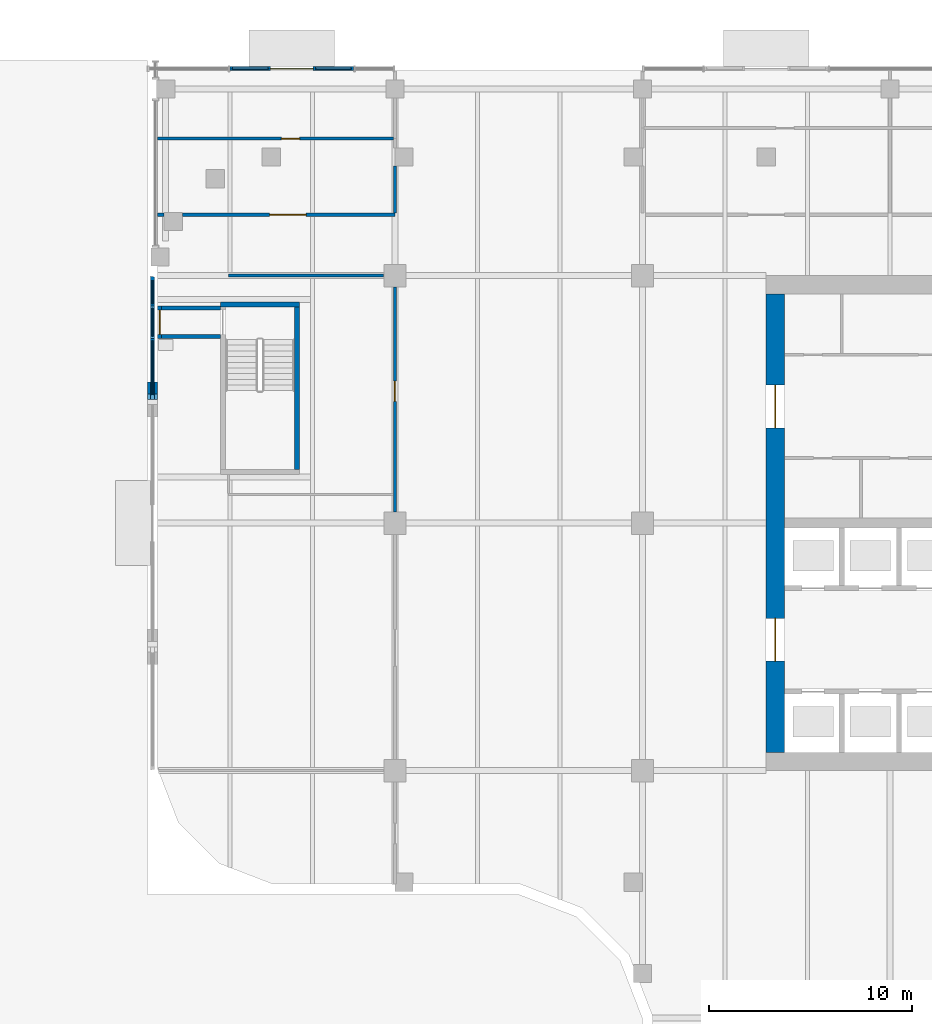
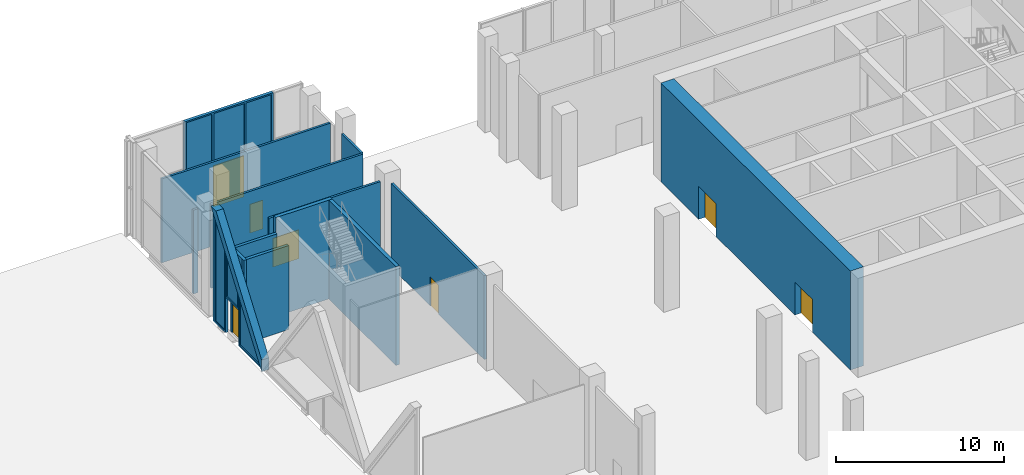
# One storey, part 19 of 36: 17 walls, 7 doors, 6 plates, 13 openings.
"""IFC4 building model written with IfcOpenShell, lengths in metres."""

from ifc_helpers import new_model, si_unit, direction, frame, frame_2d, origin, place, context, subcontext, project, spatial, polyline, rectangle, outline, extrude, faceted_brep, source, transform, mapped, material, layer, layer_set, type_object, element, fill, save


model = new_model("IFC4")

# Units and contexts
model_context = context("Model", 3, precision=1e-05, world=origin(), true_north=direction((0.0, 1.0)))
body_context = subcontext(model_context, "Body", "Model", "MODEL_VIEW")
ifc_project = project(units=[si_unit("LENGTHUNIT", "METRE"), si_unit("AREAUNIT", "SQUARE_METRE"), si_unit("VOLUMEUNIT", "CUBIC_METRE"), si_unit("PLANEANGLEUNIT", "RADIAN"), si_unit("MASSUNIT", "GRAM", prefix="KILO")], contexts=[model_context])

# Site, building, storey
site_placement = place(None, origin())
site = spatial("IfcSite", under=ifc_project, at=site_placement, CompositionType="ELEMENT")
building_placement = place(site_placement, origin())
building = spatial("IfcBuilding", under=site, at=building_placement, Name="Tessera Gate Towers", CompositionType="ELEMENT")
storey_placement = place(building_placement, origin())
storey = spatial("IfcBuildingStorey", under=building, at=storey_placement, Name="L00", CompositionType="ELEMENT", Elevation=0.0)

# Walls
ifc_material_1 = material(Name="Concrete C40/50", Category="concrete")
ifc_layer_1 = layer(ifc_material_1, 0.25)
ifc_layer_set_1 = layer_set([ifc_layer_1], Name="CORE ENCLOSURE WALL 250")
wall_type_1 = type_object("IfcWallType", Name="CORE ENCLOSURE WALL 250", PredefinedType="SOLIDWALL", material=ifc_layer_set_1)
wall_1_placement = place(storey_placement, frame((3.60009765625, 47.375, 0.0), z_axis=(0.0, 0.0, 1.0), x_axis=(1.0, 0.0, 0.0)))
element("IfcWall", 1, at=wall_1_placement, inside=storey, type_object=wall_type_1, Name="L00 ST3 enclosure wall", PredefinedType="SOLIDWALL", context=body_context, shape_type="SweptSolid", body=[
    extrude(rectangle(XDim=3.89990234375, YDim=0.25, at=frame_2d((1.949951171875, 0.0))), origin(), (0.0, 0.0, 1.0), 7.199951171875),
])
wall_2_placement = place(storey_placement, frame((7.375, 47.25, 0.0), z_axis=(0.0, 0.0, 1.0), x_axis=(0.0, -1.0, 0.0)))
element("IfcWall", 2, at=wall_2_placement, inside=storey, type_object=wall_type_1, Name="L00 ST3 enclosure wall", PredefinedType="SOLIDWALL", context=body_context, shape_type="SweptSolid", body=[
    extrude(rectangle(XDim=8.0, YDim=0.25, at=frame_2d((4.0, 0.0))), origin(), (0.0, 0.0, 1.0), 7.199951171875),
])

# Wall, openings, doors
ifc_material_2 = material(Name="Concrete C70/85", Category="concrete")
ifc_layer_2 = layer(ifc_material_2, 0.89990234375)
ifc_layer_set_2 = layer_set([ifc_layer_2], Name="CORE SHEAR WALL 900 C70/85")
wall_type_2 = type_object("IfcWallType", Name="CORE SHEAR WALL 900 C70/85", PredefinedType="SHEAR", material=ifc_layer_set_2)
wall_3_placement = place(storey_placement, frame((30.949951171875, 25.300048828125, 0.0), z_axis=(0.0, 0.0, 1.0), x_axis=(0.0, 1.0, 0.0)))
wall_3 = element("IfcWall", 3, at=wall_3_placement, inside=storey, type_object=wall_type_2, Name="Core wall W L00", PredefinedType="SHEAR", context=body_context, shape_type="SweptSolid", body=[
    extrude(rectangle(XDim=22.599853515625, YDim=0.89990234375, at=frame_2d((11.2998046875, 0.0))), origin(), (0.0, 0.0, 1.0), 7.199951171875),
])
shared_shape_1 = source(origin(), body_context, "Body", "SweptSolid", [
    extrude(rectangle(XDim=2.10009765625, YDim=2.39990234375, at=frame_2d((1.050048828125, 1.199951171875))), frame((0.0, 0.4599609375, 0.0), z_axis=(0.0, -1.0, 0.0), x_axis=(1.0, 0.0, 0.0)), (0.0, 0.0, 1.0), 0.919921875),
])
opening_1_placement = place(wall_3_placement, frame((4.5, 0.0, 0.0)))
opening_1 = element("IfcOpeningElement", 4, at=opening_1_placement, cuts=wall_3, Name="Opening DD-T1-02-01", PredefinedType="OPENING", context=body_context, shape_type="MappedRepresentation", body=[
    mapped(shared_shape_1, transform((0.0, 0.0, 0.0), scale=1.0)),
])
opening_2_placement = place(wall_3_placement, frame((16.0, 0.0, 0.0)))
opening_2 = element("IfcOpeningElement", 5, at=opening_2_placement, cuts=wall_3, Name="Opening DD-T1-02-02", PredefinedType="OPENING", context=body_context, shape_type="MappedRepresentation", body=[
    mapped(shared_shape_1, transform((0.0, 0.0, 0.0), scale=1.0)),
])
ifc_material_3 = material(Name="Hollow steel fire door", Category="steel")
door_type_1 = type_object("IfcDoorType", Name="CORE DOOR DD 2100x2400", OperationType="NOTDEFINED", PredefinedType="DOOR", material=ifc_material_3)
shared_shape_2 = source(origin(), body_context, "Body", "SweptSolid", [
    extrude(rectangle(XDim=2.10009765625, YDim=2.39990234375, at=frame_2d((1.050048828125, 1.199951171875))), frame((0.0, 0.02490234375, 0.0), z_axis=(0.0, -1.0, 0.0), x_axis=(1.0, 0.0, 0.0)), (0.0, 0.0, 1.0), 0.050048828125),
])
door_1_placement = place(opening_1_placement, origin())
door_1 = element("IfcDoor", 6, at=door_1_placement, inside=storey, type_object=door_type_1, Name="Core entrance door", OperationType="DOUBLE_DOOR_SINGLE_SWING", OverallHeight=2.39990234375, OverallWidth=2.10009765625, PredefinedType="DOOR", context=body_context, shape_type="MappedRepresentation", body=[
    mapped(shared_shape_2, transform((0.0, 0.0, 0.0), scale=1.0)),
])
fill(opening_1, door_1)
door_2_placement = place(opening_2_placement, origin())
door_2 = element("IfcDoor", 7, at=door_2_placement, inside=storey, type_object=door_type_1, Name="Core entrance door", OperationType="DOUBLE_DOOR_SINGLE_SWING", OverallHeight=2.39990234375, OverallWidth=2.10009765625, PredefinedType="DOOR", context=body_context, shape_type="MappedRepresentation", body=[
    mapped(shared_shape_2, transform((0.0, 0.0, 0.0), scale=1.0)),
])
fill(opening_2, door_2)

# Wall, opening, door
ifc_material_4 = material(Name="Gypsum board on steel studs, mineral wool", Category="steel")
ifc_layer_3 = layer(ifc_material_4, 0.14990234375)
ifc_layer_set_3 = layer_set([ifc_layer_3], Name="CORRIDOR WALL 150")
wall_type_3 = type_object("IfcWallType", Name="CORRIDOR WALL 150", PredefinedType="PARTITIONING", material=ifc_layer_set_3)
wall_4_placement = place(storey_placement, frame((12.199951171875, 37.15087890625, 0.0), z_axis=(0.0, 0.0, 1.0), x_axis=(0.0, 1.0, 0.0)))
wall_4 = element("IfcWall", 8, at=wall_4_placement, inside=storey, type_object=wall_type_3, Name="PODIUM-L00-PW-012", PredefinedType="PARTITIONING", context=body_context, shape_type="SweptSolid", body=[
    extrude(rectangle(XDim=11.09814453125, YDim=0.14990234375, at=frame_2d((5.549072265625, 0.0))), origin(), (0.0, 0.0, 1.0), 6.114990234375),
])
shared_shape_3 = source(origin(), body_context, "Body", "SweptSolid", [
    extrude(rectangle(XDim=1.0, YDim=2.10009765625, at=frame_2d((0.5, 1.050048828125))), frame((0.0, 0.0849609375, 0.0), z_axis=(0.0, -1.0, 0.0), x_axis=(1.0, 0.0, 0.0)), (0.0, 0.0, 1.0), 0.169921875),
])
opening_3_placement = place(wall_4_placement, frame((5.449951171875, 0.0, 0.0)))
opening_3 = element("IfcOpeningElement", 9, at=opening_3_placement, cuts=wall_4, Name="Opening D2100FD60-P01-02", PredefinedType="OPENING", context=body_context, shape_type="MappedRepresentation", body=[
    mapped(shared_shape_3, transform((0.0, 0.0, 0.0), scale=1.0)),
])
ifc_material_5 = material(Name="Timber door leaf in steel frame", Category="steel")
door_type_2 = type_object("IfcDoorType", Name="TENANCY ENTRANCE DOOR 1000 FD60", OperationType="NOTDEFINED", PredefinedType="DOOR", material=ifc_material_5)
shared_shape_4 = source(origin(), body_context, "Body", "SweptSolid", [
    extrude(rectangle(XDim=1.0, YDim=2.10009765625, at=frame_2d((0.5, 1.050048828125))), frame((0.0, 0.02490234375, 0.0), z_axis=(0.0, -1.0, 0.0), x_axis=(1.0, 0.0, 0.0)), (0.0, 0.0, 1.0), 0.050048828125),
])
door_3_placement = place(opening_3_placement, origin())
door_3 = element("IfcDoor", 10, at=door_3_placement, inside=storey, type_object=door_type_2, Name="PODIUM-L00-PD-006", OperationType="SINGLE_SWING_LEFT", OverallHeight=2.10009765625, OverallWidth=1.0, PredefinedType="DOOR", context=body_context, shape_type="MappedRepresentation", body=[
    mapped(shared_shape_4, transform((0.0, 0.0, 0.0), scale=1.0)),
])
fill(opening_3, door_3)

# Walls
wall_5_placement = place(storey_placement, frame((4.0, 48.800048828125, 0.0), z_axis=(0.0, 0.0, 1.0), x_axis=(1.0, 0.0, 0.0)))
element("IfcWall", 11, at=wall_5_placement, inside=storey, type_object=wall_type_3, Name="PODIUM-L00-PW-016", PredefinedType="PARTITIONING", context=body_context, shape_type="SweptSolid", body=[
    extrude(rectangle(XDim=7.64892578125, YDim=0.14990234375, at=frame_2d((3.824462890625, 0.0))), origin(), (0.0, 0.0, 1.0), 6.114990234375),
])
wall_6_placement = place(storey_placement, frame((0.5, 51.800048828125, 0.0), z_axis=(0.0, 0.0, 1.0), x_axis=(1.0, 0.0, 0.0)))
element("IfcWall", 12, at=wall_6_placement, inside=storey, type_object=wall_type_3, Name="PODIUM-L00-PW-021", PredefinedType="PARTITIONING", context=body_context, shape_type="SweptSolid", body=[
    extrude(rectangle(XDim=0.322998046875, YDim=0.14990234375, at=frame_2d((0.16162109375, 0.0))), origin(), (0.0, 0.0, 1.0), 6.114990234375),
])

# Wall, opening, door
wall_7_placement = place(storey_placement, frame((1.72509765625, 51.800048828125, 0.0), z_axis=(0.0, 0.0, 1.0), x_axis=(1.0, 0.0, 0.0)))
wall_7 = element("IfcWall", 13, at=wall_7_placement, inside=storey, type_object=wall_type_3, Name="PODIUM-L00-PW-022", PredefinedType="PARTITIONING", context=body_context, shape_type="SweptSolid", body=[
    extrude(rectangle(XDim=10.474853515625, YDim=0.14990234375, at=frame_2d((5.2373046875, 0.0))), origin(), (0.0, 0.0, 1.0), 6.114990234375),
])
shared_shape_5 = source(origin(), body_context, "Body", "SweptSolid", [
    extrude(rectangle(XDim=1.800048828125, YDim=2.10009765625, at=frame_2d((0.89990234375, 1.050048828125))), frame((0.0, 0.0849609375, 0.0), z_axis=(0.0, -1.0, 0.0), x_axis=(1.0, 0.0, 0.0)), (0.0, 0.0, 1.0), 0.169921875),
])
opening_4_placement = place(wall_7_placement, frame((4.300048828125, 0.0, 0.0)))
opening_4 = element("IfcOpeningElement", 14, at=opening_4_placement, cuts=wall_7, Name="Opening D2180FD60-P01-02", PredefinedType="OPENING", context=body_context, shape_type="MappedRepresentation", body=[
    mapped(shared_shape_5, transform((0.0, 0.0, 0.0), scale=1.0)),
])
ifc_material_6 = material(Name="Timber door leaf in steel frame", Category="steel")
door_type_3 = type_object("IfcDoorType", Name="TENANCY ENTRANCE DOUBLE DOOR 1800 FD60", OperationType="NOTDEFINED", PredefinedType="DOOR", material=ifc_material_6)
shared_shape_6 = source(origin(), body_context, "Body", "SweptSolid", [
    extrude(rectangle(XDim=1.800048828125, YDim=2.10009765625, at=frame_2d((0.89990234375, 1.050048828125))), frame((0.0, 0.02490234375, 0.0), z_axis=(0.0, -1.0, 0.0), x_axis=(1.0, 0.0, 0.0)), (0.0, 0.0, 1.0), 0.050048828125),
])
door_4_placement = place(opening_4_placement, origin())
door_4 = element("IfcDoor", 15, at=door_4_placement, inside=storey, type_object=door_type_3, Name="PODIUM-L00-PD-007", OperationType="DOUBLE_DOOR_SINGLE_SWING", OverallHeight=2.10009765625, OverallWidth=1.800048828125, PredefinedType="DOOR", context=body_context, shape_type="MappedRepresentation", body=[
    mapped(shared_shape_6, transform((0.0, 0.0, 0.0), scale=1.0)),
])
fill(opening_4, door_4)

# Walls
wall_8_placement = place(storey_placement, frame((12.199951171875, 51.8759765625, 0.0), z_axis=(0.0, 0.0, 1.0), x_axis=(0.0, 1.0, 0.0)))
element("IfcWall", 16, at=wall_8_placement, inside=storey, type_object=wall_type_3, Name="PODIUM-L00-PW-027", PredefinedType="PARTITIONING", context=body_context, shape_type="SweptSolid", body=[
    extrude(rectangle(XDim=2.322998046875, YDim=0.14990234375, at=frame_2d((1.16162109375, 0.0))), origin(), (0.0, 0.0, 1.0), 6.114990234375),
])
ifc_material_7 = material(Name="Gypsum board on steel studs", Category="steel")
ifc_layer_4 = layer(ifc_material_7, 0.199951171875)
ifc_layer_set_4 = layer_set([ifc_layer_4], Name="EXIT PASSAGE WALL 200")
wall_type_4 = type_object("IfcWallType", Name="EXIT PASSAGE WALL 200", PredefinedType="PARTITIONING", material=ifc_layer_set_4)
for number, where, z_axis, x_axis, name in (
    (17, (0.5, 45.800048828125, 0.0), (0.0, 0.0, 1.0), (1.0, 0.0, 0.0), "L00 exit passage wall"),
    (18, (0.5, 47.199951171875, 0.0), (0.0, 0.0, 1.0), (1.0, 0.0, 0.0), "L00 exit passage wall"),
):
    element("IfcWall", number, at=place(storey_placement, frame(where, z_axis=z_axis, x_axis=x_axis)), inside=storey, type_object=wall_type_4, Name=name, PredefinedType="PARTITIONING", context=body_context, shape_type="SweptSolid", body=[
        extrude(rectangle(XDim=3.10009765625, YDim=0.199951171875, at=frame_2d((1.550048828125, 0.0))), origin(), (0.0, 0.0, 1.0), 6.114990234375),
    ])

# Wall, opening, door
wall_9_placement = place(storey_placement, frame((0.60009765625, 45.699951171875, 0.0), z_axis=(0.0, 0.0, 1.0), x_axis=(0.0, 1.0, 0.0)))
wall_9 = element("IfcWall", 19, at=wall_9_placement, inside=storey, type_object=wall_type_4, Name="L00 exit passage end wall", PredefinedType="PARTITIONING", context=body_context, shape_type="SweptSolid", body=[
    extrude(rectangle(XDim=1.60009765625, YDim=0.199951171875, at=frame_2d((0.800048828125, 0.0))), origin(), (0.0, 0.0, 1.0), 6.114990234375),
])
shared_shape_7 = source(origin(), body_context, "Body", "SweptSolid", [
    extrude(rectangle(XDim=1.199951171875, YDim=2.10009765625, at=frame_2d((0.60009765625, 1.050048828125))), frame((0.0, 0.10986328125, 0.0), z_axis=(0.0, -1.0, 0.0), x_axis=(1.0, 0.0, 0.0)), (0.0, 0.0, 1.0), 0.219970703125),
])
opening_5_placement = place(wall_9_placement, frame((0.199951171875, 0.0, 0.0)))
opening_5 = element("IfcOpeningElement", 20, at=opening_5_placement, cuts=wall_9, Name="Opening ED-ST3X", PredefinedType="OPENING", context=body_context, shape_type="MappedRepresentation", body=[
    mapped(shared_shape_7, transform((0.0, 0.0, 0.0), scale=1.0)),
])
ifc_material_8 = material(Name="Hollow steel fire door", Category="steel")
door_type_4 = type_object("IfcDoorType", Name="CORE DOOR ED 1200x2100", OperationType="NOTDEFINED", PredefinedType="DOOR", material=ifc_material_8)
shared_shape_8 = source(origin(), body_context, "Body", "SweptSolid", [
    extrude(rectangle(XDim=1.199951171875, YDim=2.10009765625, at=frame_2d((0.60009765625, 1.050048828125))), frame((0.0, 0.02490234375, 0.0), z_axis=(0.0, -1.0, 0.0), x_axis=(1.0, 0.0, 0.0)), (0.0, 0.0, 1.0), 0.050048828125),
])
door_5_placement = place(opening_5_placement, origin())
door_5 = element("IfcDoor", 21, at=door_5_placement, inside=storey, type_object=door_type_4, Name="Final exit door", OperationType="SINGLE_SWING_RIGHT", OverallHeight=2.10009765625, OverallWidth=1.199951171875, PredefinedType="DOOR", context=body_context, shape_type="MappedRepresentation", body=[
    mapped(shared_shape_8, transform((0.0, 0.0, 0.0), scale=1.0)),
])
fill(opening_5, door_5)

ifc_material_9 = material(Name="Gypsum board on steel studs, mineral wool", Category="steel")
ifc_layer_5 = layer(ifc_material_9, 0.14990234375)
ifc_layer_set_5 = layer_set([ifc_layer_5], Name="STORE WALL 150")
wall_type_5 = type_object("IfcWallType", Name="STORE WALL 150", PredefinedType="PARTITIONING", material=ifc_layer_set_5)
wall_10_placement = place(storey_placement, frame((0.5, 55.550048828125, 0.0), z_axis=(0.0, 0.0, 1.0), x_axis=(1.0, 0.0, 0.0)))
wall_10 = element("IfcWall", 22, at=wall_10_placement, inside=storey, type_object=wall_type_5, Name="PODIUM-L00-PW-035", PredefinedType="PARTITIONING", context=body_context, shape_type="SweptSolid", body=[
    extrude(rectangle(XDim=11.6240234375, YDim=0.14990234375, at=frame_2d((5.81201171875, 0.0))), origin(), (0.0, 0.0, 1.0), 6.114990234375),
])
shared_shape_9 = source(origin(), body_context, "Body", "SweptSolid", [
    extrude(rectangle(XDim=0.89990234375, YDim=2.10009765625, at=frame_2d((0.449951171875, 1.050048828125))), frame((0.0, 0.0849609375, 0.0), z_axis=(0.0, -1.0, 0.0), x_axis=(1.0, 0.0, 0.0)), (0.0, 0.0, 1.0), 0.169921875),
])
opening_6_placement = place(wall_10_placement, frame((6.10009765625, 0.0, 0.0)))
opening_6 = element("IfcOpeningElement", 23, at=opening_6_placement, cuts=wall_10, Name="Opening D490FD60-P01-02", PredefinedType="OPENING", context=body_context, shape_type="MappedRepresentation", body=[
    mapped(shared_shape_9, transform((0.0, 0.0, 0.0), scale=1.0)),
])
ifc_material_10 = material(Name="Timber door leaf in steel frame", Category="steel")
door_type_5 = type_object("IfcDoorType", Name="STORE DOOR 900 FD60", OperationType="NOTDEFINED", PredefinedType="DOOR", material=ifc_material_10)
shared_shape_10 = source(origin(), body_context, "Body", "SweptSolid", [
    extrude(rectangle(XDim=0.89990234375, YDim=2.10009765625, at=frame_2d((0.449951171875, 1.050048828125))), frame((0.0, 0.02490234375, 0.0), z_axis=(0.0, -1.0, 0.0), x_axis=(1.0, 0.0, 0.0)), (0.0, 0.0, 1.0), 0.050048828125),
])
door_6_placement = place(opening_6_placement, origin())
door_6 = element("IfcDoor", 24, at=door_6_placement, inside=storey, type_object=door_type_5, Name="PODIUM-L00-PD-008", OperationType="SINGLE_SWING_LEFT", OverallHeight=2.10009765625, OverallWidth=0.89990234375, PredefinedType="DOOR", context=body_context, shape_type="MappedRepresentation", body=[
    mapped(shared_shape_10, transform((0.0, 0.0, 0.0), scale=1.0)),
])
fill(opening_6, door_6)

# Wall, openings, plates, door
ifc_material_11 = material(Name="Aluminium storefront glazing", Category="aluminium")
ifc_layer_6 = layer(ifc_material_11, 0.199951171875)
ifc_layer_set_6 = layer_set([ifc_layer_6], Name="WS2 storefront bay wall")
wall_type_6 = type_object("IfcWallType", Name="WS2 storefront bay wall", PredefinedType="PARTITIONING", material=ifc_layer_set_6)
wall_11_placement = place(storey_placement, frame((10.166748046875, 59.0, 0.0), z_axis=(0.0, 0.0, 1.0), x_axis=(-1.0, 0.0, 0.0)))
wall_11 = element("IfcWall", 25, at=wall_11_placement, inside=storey, type_object=wall_type_6, Name="Storefront bay wall PD WS2-0007", PredefinedType="PARTITIONING", context=body_context, shape_type="SweptSolid", body=[
    extrude(rectangle(XDim=6.10009765625, YDim=0.199951171875, at=frame_2d((3.050048828125, 0.0))), origin(), (0.0, 0.0, 1.0), 6.949951171875),
])
shared_shape_11 = source(origin(), body_context, "Body", "SweptSolid", [
    extrude(rectangle(XDim=2.10009765625, YDim=3.0, at=frame_2d((1.050048828125, 1.5))), frame((0.0, 0.10986328125, 0.0), z_axis=(0.0, -1.0, 0.0), x_axis=(1.0, 0.0, 0.0)), (0.0, 0.0, 1.0), 0.219970703125),
])
opening_7_placement = place(wall_11_placement, frame((2.0, 0.0, 0.0)))
opening_7 = element("IfcOpeningElement", 26, at=opening_7_placement, cuts=wall_11, Name="Opening D-EP07", PredefinedType="OPENING", context=body_context, shape_type="MappedRepresentation", body=[
    mapped(shared_shape_11, transform((0.0, 0.0, 0.0), scale=1.0)),
])
shared_shape_12 = source(origin(), body_context, "Body", "SweptSolid", [
    extrude(outline(polyline([(0.1201171875, 0.10009765625), (1.8798828125, 0.10009765625), (1.8798828125, 6.85009765625), (0.1201171875, 6.85009765625), (0.1201171875, 0.10009765625)])), frame((0.0, 0.10986328125, 0.0), z_axis=(0.0, -1.0, 0.0), x_axis=(1.0, 0.0, 0.0)), (0.0, 0.0, 1.0), 0.219970703125),
])
opening_8_placement = place(wall_11_placement, origin())
opening_8 = element("IfcOpeningElement", 27, at=opening_8_placement, cuts=wall_11, Name="Opening PD-PL3-0019", PredefinedType="OPENING", context=body_context, shape_type="MappedRepresentation", body=[
    mapped(shared_shape_12, transform((0.0, 0.0, 0.0), scale=1.0)),
])
shared_shape_13 = source(origin(), body_context, "Body", "SweptSolid", [
    extrude(outline(polyline([(4.219970703125, 0.10009765625), (5.97998046875, 0.10009765625), (5.97998046875, 6.85009765625), (4.219970703125, 6.85009765625), (4.219970703125, 0.10009765625)])), frame((0.0, 0.10986328125, 0.0), z_axis=(0.0, -1.0, 0.0), x_axis=(1.0, 0.0, 0.0)), (0.0, 0.0, 1.0), 0.219970703125),
])
opening_9_placement = place(wall_11_placement, origin())
opening_9 = element("IfcOpeningElement", 28, at=opening_9_placement, cuts=wall_11, Name="Opening PD-PL3-0020", PredefinedType="OPENING", context=body_context, shape_type="MappedRepresentation", body=[
    mapped(shared_shape_13, transform((0.0, 0.0, 0.0), scale=1.0)),
])
shared_shape_14 = source(origin(), body_context, "Body", "SweptSolid", [
    extrude(outline(polyline([(2.0, 3.1201171875), (4.10009765625, 3.1201171875), (4.10009765625, 6.85009765625), (2.0, 6.85009765625), (2.0, 3.1201171875)])), frame((0.0, 0.10986328125, 0.0), z_axis=(0.0, -1.0, 0.0), x_axis=(1.0, 0.0, 0.0)), (0.0, 0.0, 1.0), 0.219970703125),
])
opening_10_placement = place(wall_11_placement, origin())
opening_10 = element("IfcOpeningElement", 29, at=opening_10_placement, cuts=wall_11, Name="Opening PD-PL3-0021", PredefinedType="OPENING", context=body_context, shape_type="MappedRepresentation", body=[
    mapped(shared_shape_14, transform((0.0, 0.0, 0.0), scale=1.0)),
])
ifc_material_12 = material(Name="Low-e laminated glass", Category="glass")
ifc_layer_7 = layer(ifc_material_12, 0.06005859375)
ifc_layer_set_7 = layer_set([ifc_layer_7], Name="PL3 storefront pane")
plate_type = type_object("IfcPlateType", Name="PL3 storefront pane", PredefinedType="SHEET", material=ifc_layer_set_7)
shared_shape_15 = source(origin(), body_context, "Body", "SweptSolid", [
    extrude(outline(polyline([(0.1201171875, 0.10009765625), (1.8798828125, 0.10009765625), (1.8798828125, 6.85009765625), (0.1201171875, 6.85009765625), (0.1201171875, 0.10009765625)])), frame((0.0, 0.030029296875, 0.0), z_axis=(0.0, -1.0, 0.0), x_axis=(1.0, 0.0, 0.0)), (0.0, 0.0, 1.0), 0.06005859375),
])
plate_1_placement = place(opening_8_placement, origin())
plate_1 = element("IfcPlate", 30, at=plate_1_placement, inside=storey, type_object=plate_type, Name="Glass pane PD PL3-0019", PredefinedType="SHEET", context=body_context, shape_type="MappedRepresentation", body=[
    mapped(shared_shape_15, transform((0.0, 0.0, 0.0), scale=1.0)),
])
fill(opening_8, plate_1)
shared_shape_16 = source(origin(), body_context, "Body", "SweptSolid", [
    extrude(outline(polyline([(4.219970703125, 0.10009765625), (5.97998046875, 0.10009765625), (5.97998046875, 6.85009765625), (4.219970703125, 6.85009765625), (4.219970703125, 0.10009765625)])), frame((0.0, 0.030029296875, 0.0), z_axis=(0.0, -1.0, 0.0), x_axis=(1.0, 0.0, 0.0)), (0.0, 0.0, 1.0), 0.06005859375),
])
plate_2_placement = place(opening_9_placement, origin())
plate_2 = element("IfcPlate", 31, at=plate_2_placement, inside=storey, type_object=plate_type, Name="Glass pane PD PL3-0020", PredefinedType="SHEET", context=body_context, shape_type="MappedRepresentation", body=[
    mapped(shared_shape_16, transform((0.0, 0.0, 0.0), scale=1.0)),
])
fill(opening_9, plate_2)
shared_shape_17 = source(origin(), body_context, "Body", "SweptSolid", [
    extrude(outline(polyline([(2.0, 3.1201171875), (4.10009765625, 3.1201171875), (4.10009765625, 6.85009765625), (2.0, 6.85009765625), (2.0, 3.1201171875)])), frame((0.0, 0.030029296875, 0.0), z_axis=(0.0, -1.0, 0.0), x_axis=(1.0, 0.0, 0.0)), (0.0, 0.0, 1.0), 0.06005859375),
])
plate_3_placement = place(opening_10_placement, origin())
plate_3 = element("IfcPlate", 32, at=plate_3_placement, inside=storey, type_object=plate_type, Name="Glass pane PD PL3-0021", PredefinedType="SHEET", context=body_context, shape_type="MappedRepresentation", body=[
    mapped(shared_shape_17, transform((0.0, 0.0, 0.0), scale=1.0)),
])
fill(opening_10, plate_3)
ifc_material_13 = material(Name="Aluminium storefront glazing", Category="aluminium")
ifc_layer_8 = layer(ifc_material_13, 0.050048828125)
ifc_layer_set_8 = layer_set([ifc_layer_8], Name="DL6 wide entrance door")
door_type_6 = type_object("IfcDoorType", Name="DL6 wide entrance door", OperationType="DOUBLE_DOOR_SINGLE_SWING", PredefinedType="DOOR", material=ifc_layer_set_8)
shared_shape_18 = source(origin(), body_context, "Body", "SweptSolid", [
    extrude(rectangle(XDim=2.10009765625, YDim=3.0, at=frame_2d((1.050048828125, 1.5))), frame((0.0, 0.02490234375, 0.0), z_axis=(0.0, -1.0, 0.0), x_axis=(1.0, 0.0, 0.0)), (0.0, 0.0, 1.0), 0.050048828125),
])
door_7_placement = place(opening_7_placement, origin())
door_7 = element("IfcDoor", 33, at=door_7_placement, inside=storey, type_object=door_type_6, Name="Entrance door D-EP07", OperationType="DOUBLE_DOOR_SINGLE_SWING", OverallHeight=3.0, OverallWidth=2.10009765625, PredefinedType="DOOR", context=body_context, shape_type="MappedRepresentation", body=[
    mapped(shared_shape_18, transform((0.0, 0.0, 0.0), scale=1.0)),
])
fill(opening_7, door_7)

# Wall
ifc_material_14 = material(Name="Precast concrete C60/75 white", Category="concrete")
ifc_layer_9 = layer(ifc_material_14, 0.5)
ifc_layer_set_9 = layer_set([ifc_layer_9], Name="TB1 foot rib")
wall_type_7 = type_object("IfcWallType", Name="TB1 foot rib", PredefinedType="SOLIDWALL", material=ifc_layer_set_9)
shared_shape_19 = source(origin(), body_context, "Body", "Brep", [
    faceted_brep([(0.0, -0.25, 8.39990234375), (6.053466796875, -0.25, 0.0), (6.053466796875, -0.25, 0.850830078125), (0.61328125, -0.25, 8.39990234375), (0.61328125, 0.25, 8.39990234375), (6.053466796875, 0.25, 0.850830078125), (6.053466796875, 0.25, 0.0), (0.046630859375, 0.25, 8.335205078125), (0.046630859375, 0.25, 8.39990234375), (0.0, 0.0, 8.39990234375)], [[[0, 1, 2, 3]], [[4, 5, 6, 7, 8]], [[7, 6, 1, 0, 9]], [[5, 4, 3, 2]], [[4, 8, 9, 0, 3]], [[7, 9, 8]], [[1, 6, 5, 2]]]),
])
wall_12_placement = place(storey_placement, frame((0.25, 48.75341796875, 0.0), z_axis=(0.0, 0.0, 1.0), x_axis=(0.0, -1.0, 0.0)))
element("IfcWall", 34, at=wall_12_placement, inside=storey, type_object=wall_type_7, Name="Foot rib T1 TB1-0012", PredefinedType="SOLIDWALL", context=body_context, shape_type="MappedRepresentation", body=[
    mapped(shared_shape_19, transform((0.0, 0.0, 0.0), scale=1.0)),
])

# Wall, opening, plate
ifc_material_15 = material(Name="Aluminium storefront glazing", Category="aluminium")
ifc_layer_10 = layer(ifc_material_15, 0.199951171875)
ifc_layer_set_10 = layer_set([ifc_layer_10], Name="WS1 storefront wall")
wall_type_8 = type_object("IfcWallType", Name="WS1 storefront wall", PredefinedType="PARTITIONING", material=ifc_layer_set_10)
shared_shape_20 = source(origin(), body_context, "Body", "Brep", [
    faceted_brep([(0.0, -0.10009765625, 0.0), (1.471923828125, -0.10009765625, 0.0), (1.471923828125, -0.10009765625, 6.383056640625), (0.0185546875, -0.10009765625, 8.39990234375), (0.0, -0.10009765625, 8.373291015625), (0.037109375, 0.10009765625, 8.3740234375), (1.471923828125, 0.10009765625, 6.383056640625), (1.471923828125, 0.10009765625, 0.0), (0.037109375, 0.10009765625, 0.0), (0.0185546875, 0.0, 8.39990234375)], [[[0, 1, 2, 3, 4]], [[5, 6, 7, 8]], [[8, 7, 1, 0]], [[7, 6, 2, 1]], [[6, 5, 9, 3, 2]], [[4, 3, 9]], [[8, 0, 4, 9, 5]]]),
])
wall_13_placement = place(storey_placement, frame((0.25, 48.77197265625, 0.0), z_axis=(0.0, 0.0, 1.0), x_axis=(0.0, -1.0, 0.0)))
wall_13 = element("IfcWall", 35, at=wall_13_placement, inside=storey, type_object=wall_type_8, Name="Storefront wall T1 WS1-0005", PredefinedType="PARTITIONING", context=body_context, shape_type="MappedRepresentation", body=[
    mapped(shared_shape_20, transform((0.0, 0.0, 0.0), scale=1.0)),
])
shared_shape_21 = source(origin(), body_context, "Body", "SweptSolid", [
    extrude(outline(polyline([(0.218505859375, 0.1201171875), (1.35205078125, 0.1201171875), (1.35205078125, 6.344482421875), (0.218505859375, 7.917236328125), (0.218505859375, 0.1201171875)])), frame((0.0, 0.10986328125, 0.0), z_axis=(0.0, -1.0, 0.0), x_axis=(1.0, 0.0, 0.0)), (0.0, 0.0, 1.0), 0.219970703125),
])
opening_11_placement = place(wall_13_placement, origin())
opening_11 = element("IfcOpeningElement", 36, at=opening_11_placement, cuts=wall_13, Name="Opening T1-PL3-0008", PredefinedType="OPENING", context=body_context, shape_type="MappedRepresentation", body=[
    mapped(shared_shape_21, transform((0.0, 0.0, 0.0), scale=1.0)),
])
shared_shape_22 = source(origin(), body_context, "Body", "SweptSolid", [
    extrude(outline(polyline([(0.218505859375, 0.1201171875), (1.35205078125, 0.1201171875), (1.35205078125, 6.344482421875), (0.218505859375, 7.917236328125), (0.218505859375, 0.1201171875)])), frame((0.0, 0.030029296875, 0.0), z_axis=(0.0, -1.0, 0.0), x_axis=(1.0, 0.0, 0.0)), (0.0, 0.0, 1.0), 0.06005859375),
])
plate_4_placement = place(opening_11_placement, origin())
plate_4 = element("IfcPlate", 37, at=plate_4_placement, inside=storey, type_object=plate_type, Name="Glass pane T1 PL3-0008", PredefinedType="SHEET", context=body_context, shape_type="MappedRepresentation", body=[
    mapped(shared_shape_22, transform((0.0, 0.0, 0.0), scale=1.0)),
])
fill(opening_11, plate_4)

shared_shape_23 = source(origin(), body_context, "Body", "SweptSolid", [
    extrude(outline(polyline([(0.0, 0.0), (3.0, 0.0), (0.0, 4.162841796875), (0.0, 0.0)])), frame((0.0, 0.10009765625, 0.0), z_axis=(0.0, -1.0, 0.0), x_axis=(1.0, 0.0, 0.0)), (0.0, 0.0, 1.0), 0.199951171875),
])
wall_14_placement = place(storey_placement, frame((0.25, 45.699951171875, 0.0), z_axis=(0.0, 0.0, 1.0), x_axis=(0.0, -1.0, 0.0)))
wall_14 = element("IfcWall", 38, at=wall_14_placement, inside=storey, type_object=wall_type_8, Name="Storefront wall T1 WS1-0006", PredefinedType="PARTITIONING", context=body_context, shape_type="MappedRepresentation", body=[
    mapped(shared_shape_23, transform((0.0, 0.0, 0.0), scale=1.0)),
])
shared_shape_24 = source(origin(), body_context, "Body", "SweptSolid", [
    extrude(outline(polyline([(0.1201171875, 0.1201171875), (2.765625, 0.1201171875), (0.1201171875, 3.791259765625), (0.1201171875, 0.1201171875)])), frame((0.0, 0.10986328125, 0.0), z_axis=(0.0, -1.0, 0.0), x_axis=(1.0, 0.0, 0.0)), (0.0, 0.0, 1.0), 0.219970703125),
])
opening_12_placement = place(wall_14_placement, origin())
opening_12 = element("IfcOpeningElement", 39, at=opening_12_placement, cuts=wall_14, Name="Opening T1-PL3-0009", PredefinedType="OPENING", context=body_context, shape_type="MappedRepresentation", body=[
    mapped(shared_shape_24, transform((0.0, 0.0, 0.0), scale=1.0)),
])
shared_shape_25 = source(origin(), body_context, "Body", "SweptSolid", [
    extrude(outline(polyline([(0.1201171875, 0.1201171875), (2.765625, 0.1201171875), (0.1201171875, 3.791259765625), (0.1201171875, 0.1201171875)])), frame((0.0, 0.030029296875, 0.0), z_axis=(0.0, -1.0, 0.0), x_axis=(1.0, 0.0, 0.0)), (0.0, 0.0, 1.0), 0.06005859375),
])
plate_5_placement = place(opening_12_placement, origin())
plate_5 = element("IfcPlate", 40, at=plate_5_placement, inside=storey, type_object=plate_type, Name="Glass pane T1 PL3-0009", PredefinedType="SHEET", context=body_context, shape_type="MappedRepresentation", body=[
    mapped(shared_shape_25, transform((0.0, 0.0, 0.0), scale=1.0)),
])
fill(opening_12, plate_5)

shared_shape_26 = source(origin(), body_context, "Body", "SweptSolid", [
    extrude(outline(polyline([(1.60009765625, 0.0), (1.60009765625, 1.562744140625), (0.0, 3.782958984375), (0.0, 0.0), (1.60009765625, 0.0)])), frame((0.0, 0.10009765625, 0.0), z_axis=(0.0, -1.0, 0.0), x_axis=(1.0, 0.0, 0.0)), (0.0, 0.0, 1.0), 0.199951171875),
])
wall_15_placement = place(storey_placement, frame((0.25, 47.300048828125, 2.60009765625), z_axis=(0.0, 0.0, 1.0), x_axis=(0.0, -1.0, 0.0)))
wall_15 = element("IfcWall", 41, at=wall_15_placement, inside=storey, type_object=wall_type_8, Name="Storefront wall T1 WS1-0007", PredefinedType="PARTITIONING", context=body_context, shape_type="MappedRepresentation", body=[
    mapped(shared_shape_26, transform((0.0, 0.0, 0.0), scale=1.0)),
])
shared_shape_27 = source(origin(), body_context, "Body", "SweptSolid", [
    extrude(outline(polyline([(1.47998046875, 0.119873046875), (1.47998046875, 1.524169921875), (0.1201171875, 3.411376953125), (0.1201171875, 0.119873046875), (1.47998046875, 0.119873046875)])), frame((0.0, 0.10986328125, 0.0), z_axis=(0.0, -1.0, 0.0), x_axis=(1.0, 0.0, 0.0)), (0.0, 0.0, 1.0), 0.219970703125),
])
opening_13_placement = place(wall_15_placement, origin())
opening_13 = element("IfcOpeningElement", 42, at=opening_13_placement, cuts=wall_15, Name="Opening T1-PL3-0010", PredefinedType="OPENING", context=body_context, shape_type="MappedRepresentation", body=[
    mapped(shared_shape_27, transform((0.0, 0.0, 0.0), scale=1.0)),
])
shared_shape_28 = source(origin(), body_context, "Body", "SweptSolid", [
    extrude(outline(polyline([(1.47998046875, 0.119873046875), (1.47998046875, 1.524169921875), (0.1201171875, 3.411376953125), (0.1201171875, 0.119873046875), (1.47998046875, 0.119873046875)])), frame((0.0, 0.030029296875, 0.0), z_axis=(0.0, -1.0, 0.0), x_axis=(1.0, 0.0, 0.0)), (0.0, 0.0, 1.0), 0.06005859375),
])
plate_6_placement = place(opening_13_placement, origin())
plate_6 = element("IfcPlate", 43, at=plate_6_placement, inside=storey, type_object=plate_type, Name="Glass pane T1 PL3-0010", PredefinedType="SHEET", context=body_context, shape_type="MappedRepresentation", body=[
    mapped(shared_shape_28, transform((0.0, 0.0, 0.0), scale=1.0)),
])
fill(opening_13, plate_6)

save(model, "model.ifc")
